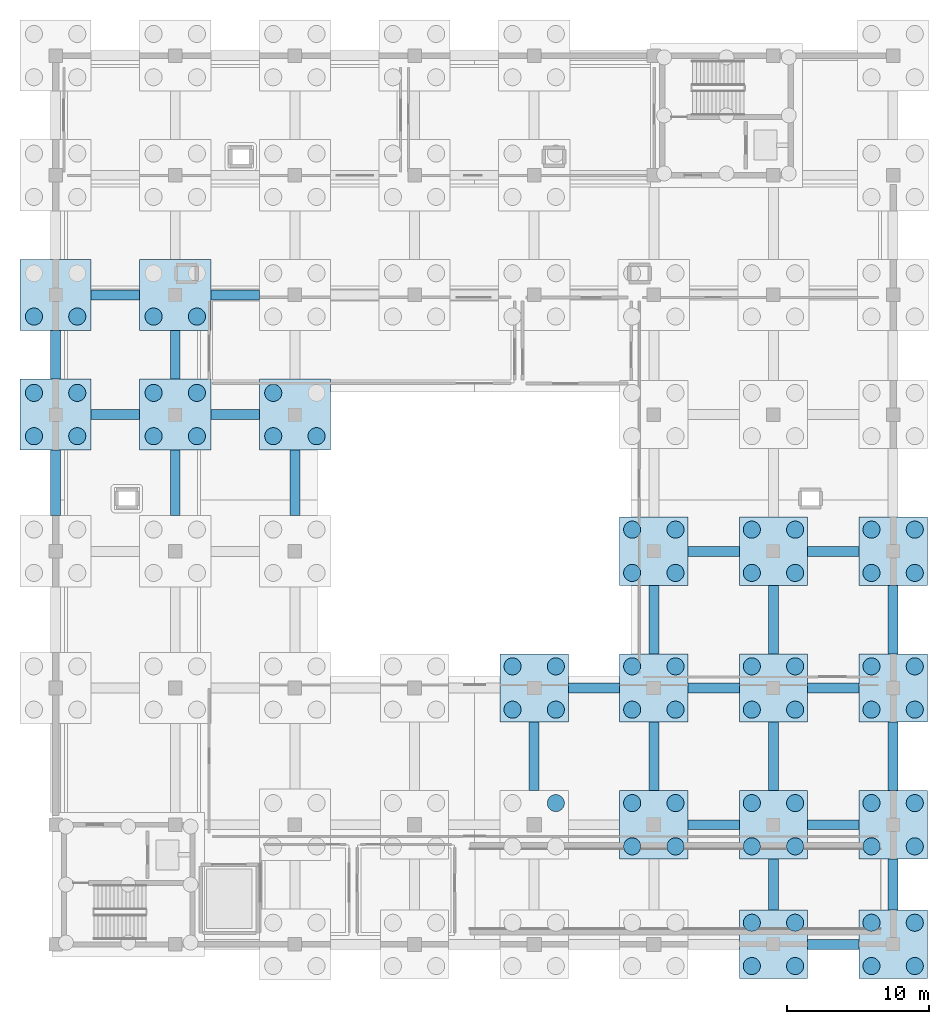
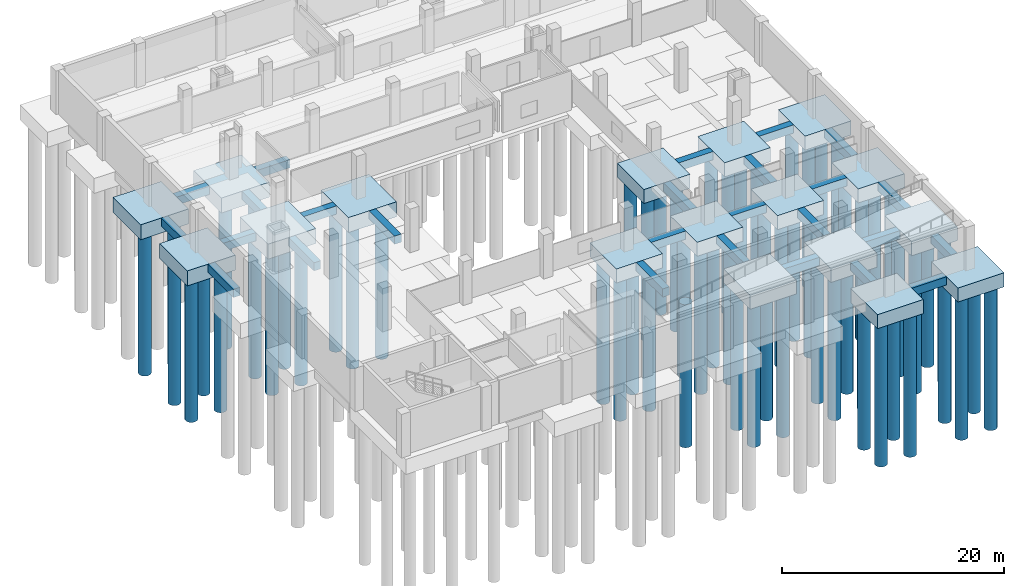
# One storey, part 2 of 12: 64 piles, 43 footings.
"""IFC4 building model written with IfcOpenShell, lengths in metres."""

from ifc_helpers import new_model, si_unit, direction, frame, origin, origin_2d, place, context, subcontext, project, spatial, polyline, circle, outline, extrude, material, layer, layer_set, material_profile, profile_set, type_object, element, save


model = new_model("IFC4")

# Units and contexts
model_context = context("Model", 3, precision=1e-05, world=origin(), true_north=direction((0.0, 1.0)))
body_context = subcontext(model_context, "Body", "Model", "MODEL_VIEW")
ifc_project = project(units=[si_unit("LENGTHUNIT", "METRE"), si_unit("AREAUNIT", "SQUARE_METRE"), si_unit("VOLUMEUNIT", "CUBIC_METRE"), si_unit("PLANEANGLEUNIT", "RADIAN"), si_unit("MASSUNIT", "GRAM", prefix="KILO")], contexts=[model_context])

# Site, building, storey
site_placement = place(None, origin())
site = spatial("IfcSite", under=ifc_project, at=site_placement, CompositionType="ELEMENT")
building_placement = place(site_placement, origin())
building = spatial("IfcBuilding", under=site, at=building_placement, Name="Zulmaris Art Gallery", CompositionType="ELEMENT")
storey_placement = place(building_placement, frame((0.0, 0.0, -4.800048828125)))
storey = spatial("IfcBuildingStorey", under=building, at=storey_placement, Name="B1", CompositionType="ELEMENT", Elevation=-4.800048828125)

# Footings
ifc_material = material(Name="Concrete C40/50", Category="concrete")
ifc_layer_1 = layer(ifc_material, 0.89990234375)
ifc_layer_set_1 = layer_set([ifc_layer_1], Name="Concrete C40/50")
footing_type_1 = type_object("IfcFootingType", Name="FTG-GB02", PredefinedType="FOOTING_BEAM", material=ifc_layer_set_1)
footing_1_placement = place(storey_placement, frame((0.0, 0.0, -0.89990234375)))
element("IfcFooting", 1, at=footing_1_placement, inside=storey, type_object=footing_type_1, Name="B1 ground tie beam X", PredefinedType="FOOTING_BEAM", context=body_context, shape_type="SweptSolid", body=[
    extrude(outline(polyline([(194.39990234375, 12.85009765625), (198.0, 12.85009765625), (198.0, 13.550048828125), (194.39990234375, 13.550048828125), (194.39990234375, 12.85009765625)])), origin(), (0.0, 0.0, 1.0), 0.89990234375),
])
footing_2_placement = place(storey_placement, frame((0.0, 0.0, -0.89990234375)))
element("IfcFooting", 2, at=footing_2_placement, inside=storey, type_object=footing_type_1, Name="B1 ground tie beam X", PredefinedType="FOOTING_BEAM", context=body_context, shape_type="SweptSolid", body=[
    extrude(outline(polyline([(186.0, 21.25), (189.60009765625, 21.25), (189.60009765625, 21.949951171875), (186.0, 21.949951171875), (186.0, 21.25)])), origin(), (0.0, 0.0, 1.0), 0.89990234375),
])
footing_3_placement = place(storey_placement, frame((0.0, 0.0, -0.89990234375)))
element("IfcFooting", 3, at=footing_3_placement, inside=storey, type_object=footing_type_1, Name="B1 ground tie beam X", PredefinedType="FOOTING_BEAM", context=body_context, shape_type="SweptSolid", body=[
    extrude(outline(polyline([(194.39990234375, 21.25), (198.0, 21.25), (198.0, 21.949951171875), (194.39990234375, 21.949951171875), (194.39990234375, 21.25)])), origin(), (0.0, 0.0, 1.0), 0.89990234375),
])
footing_4_placement = place(storey_placement, frame((0.0, 0.0, -0.89990234375)))
element("IfcFooting", 4, at=footing_4_placement, inside=storey, type_object=footing_type_1, Name="B1 ground tie beam X", PredefinedType="FOOTING_BEAM", context=body_context, shape_type="SweptSolid", body=[
    extrude(outline(polyline([(177.60009765625, 30.85009765625), (181.199951171875, 30.85009765625), (181.199951171875, 31.550048828125), (177.60009765625, 31.550048828125), (177.60009765625, 30.85009765625)])), origin(), (0.0, 0.0, 1.0), 0.89990234375),
])
footing_5_placement = place(storey_placement, frame((0.0, 0.0, -0.89990234375)))
element("IfcFooting", 5, at=footing_5_placement, inside=storey, type_object=footing_type_1, Name="B1 ground tie beam X", PredefinedType="FOOTING_BEAM", context=body_context, shape_type="SweptSolid", body=[
    extrude(outline(polyline([(186.0, 30.85009765625), (189.60009765625, 30.85009765625), (189.60009765625, 31.550048828125), (186.0, 31.550048828125), (186.0, 30.85009765625)])), origin(), (0.0, 0.0, 1.0), 0.89990234375),
])
footing_6_placement = place(storey_placement, frame((0.0, 0.0, -0.89990234375)))
element("IfcFooting", 6, at=footing_6_placement, inside=storey, type_object=footing_type_1, Name="B1 ground tie beam X", PredefinedType="FOOTING_BEAM", context=body_context, shape_type="SweptSolid", body=[
    extrude(outline(polyline([(194.39990234375, 30.85009765625), (198.0, 30.85009765625), (198.0, 31.550048828125), (194.39990234375, 31.550048828125), (194.39990234375, 30.85009765625)])), origin(), (0.0, 0.0, 1.0), 0.89990234375),
])
footing_7_placement = place(storey_placement, frame((0.0, 0.0, -0.89990234375)))
element("IfcFooting", 7, at=footing_7_placement, inside=storey, type_object=footing_type_1, Name="B1 ground tie beam X", PredefinedType="FOOTING_BEAM", context=body_context, shape_type="SweptSolid", body=[
    extrude(outline(polyline([(186.0, 40.449951171875), (189.60009765625, 40.449951171875), (189.60009765625, 41.14990234375), (186.0, 41.14990234375), (186.0, 40.449951171875)])), origin(), (0.0, 0.0, 1.0), 0.89990234375),
])
footing_8_placement = place(storey_placement, frame((0.0, 0.0, -0.89990234375)))
element("IfcFooting", 8, at=footing_8_placement, inside=storey, type_object=footing_type_1, Name="B1 ground tie beam X", PredefinedType="FOOTING_BEAM", context=body_context, shape_type="SweptSolid", body=[
    extrude(outline(polyline([(194.39990234375, 40.449951171875), (198.0, 40.449951171875), (198.0, 41.14990234375), (194.39990234375, 41.14990234375), (194.39990234375, 40.449951171875)])), origin(), (0.0, 0.0, 1.0), 0.89990234375),
])
footing_9_placement = place(storey_placement, frame((0.0, 0.0, -0.89990234375)))
element("IfcFooting", 9, at=footing_9_placement, inside=storey, type_object=footing_type_1, Name="B1 ground tie beam X", PredefinedType="FOOTING_BEAM", context=body_context, shape_type="SweptSolid", body=[
    extrude(outline(polyline([(144.10009765625, 50.050048828125), (147.5, 50.050048828125), (147.5, 50.75), (144.10009765625, 50.75), (144.10009765625, 50.050048828125)])), origin(), (0.0, 0.0, 1.0), 0.89990234375),
])
footing_10_placement = place(storey_placement, frame((0.0, 0.0, -0.89990234375)))
element("IfcFooting", 10, at=footing_10_placement, inside=storey, type_object=footing_type_1, Name="B1 ground tie beam X", PredefinedType="FOOTING_BEAM", context=body_context, shape_type="SweptSolid", body=[
    extrude(outline(polyline([(152.5, 50.050048828125), (155.89990234375, 50.050048828125), (155.89990234375, 50.75), (152.5, 50.75), (152.5, 50.050048828125)])), origin(), (0.0, 0.0, 1.0), 0.89990234375),
])
footing_11_placement = place(storey_placement, frame((0.0, 0.0, -0.89990234375)))
element("IfcFooting", 11, at=footing_11_placement, inside=storey, type_object=footing_type_1, Name="B1 ground tie beam X", PredefinedType="FOOTING_BEAM", context=body_context, shape_type="SweptSolid", body=[
    extrude(outline(polyline([(144.10009765625, 58.449951171875), (147.5, 58.449951171875), (147.5, 59.14990234375), (144.10009765625, 59.14990234375), (144.10009765625, 58.449951171875)])), origin(), (0.0, 0.0, 1.0), 0.89990234375),
])
footing_12_placement = place(storey_placement, frame((0.0, 0.0, -0.89990234375)))
element("IfcFooting", 12, at=footing_12_placement, inside=storey, type_object=footing_type_1, Name="B1 ground tie beam X", PredefinedType="FOOTING_BEAM", context=body_context, shape_type="SweptSolid", body=[
    extrude(outline(polyline([(152.5, 58.449951171875), (155.89990234375, 58.449951171875), (155.89990234375, 59.14990234375), (152.5, 59.14990234375), (152.5, 58.449951171875)])), origin(), (0.0, 0.0, 1.0), 0.89990234375),
])
footing_13_placement = place(storey_placement, frame((0.0, 0.0, -0.89990234375)))
element("IfcFooting", 13, at=footing_13_placement, inside=storey, type_object=footing_type_1, Name="B1 ground tie beam Y", PredefinedType="FOOTING_BEAM", context=body_context, shape_type="SweptSolid", body=[
    extrude(outline(polyline([(141.25, 43.300048828125), (141.949951171875, 43.300048828125), (141.949951171875, 47.89990234375), (141.25, 47.89990234375), (141.25, 43.300048828125)])), origin(), (0.0, 0.0, 1.0), 0.89990234375),
])
footing_14_placement = place(storey_placement, frame((0.0, 0.0, -0.89990234375)))
element("IfcFooting", 14, at=footing_14_placement, inside=storey, type_object=footing_type_1, Name="B1 ground tie beam Y", PredefinedType="FOOTING_BEAM", context=body_context, shape_type="SweptSolid", body=[
    extrude(outline(polyline([(141.25, 52.89990234375), (141.949951171875, 52.89990234375), (141.949951171875, 56.300048828125), (141.25, 56.300048828125), (141.25, 52.89990234375)])), origin(), (0.0, 0.0, 1.0), 0.89990234375),
])
footing_15_placement = place(storey_placement, frame((0.0, 0.0, -0.89990234375)))
element("IfcFooting", 15, at=footing_15_placement, inside=storey, type_object=footing_type_1, Name="B1 ground tie beam Y", PredefinedType="FOOTING_BEAM", context=body_context, shape_type="SweptSolid", body=[
    extrude(outline(polyline([(149.64990234375, 43.300048828125), (150.35009765625, 43.300048828125), (150.35009765625, 47.89990234375), (149.64990234375, 47.89990234375), (149.64990234375, 43.300048828125)])), origin(), (0.0, 0.0, 1.0), 0.89990234375),
])
footing_16_placement = place(storey_placement, frame((0.0, 0.0, -0.89990234375)))
element("IfcFooting", 16, at=footing_16_placement, inside=storey, type_object=footing_type_1, Name="B1 ground tie beam Y", PredefinedType="FOOTING_BEAM", context=body_context, shape_type="SweptSolid", body=[
    extrude(outline(polyline([(149.64990234375, 52.89990234375), (150.35009765625, 52.89990234375), (150.35009765625, 56.300048828125), (149.64990234375, 56.300048828125), (149.64990234375, 52.89990234375)])), origin(), (0.0, 0.0, 1.0), 0.89990234375),
])
footing_17_placement = place(storey_placement, frame((0.0, 0.0, -0.89990234375)))
element("IfcFooting", 17, at=footing_17_placement, inside=storey, type_object=footing_type_1, Name="B1 ground tie beam Y", PredefinedType="FOOTING_BEAM", context=body_context, shape_type="SweptSolid", body=[
    extrude(outline(polyline([(158.050048828125, 43.300048828125), (158.75, 43.300048828125), (158.75, 47.89990234375), (158.050048828125, 47.89990234375), (158.050048828125, 43.300048828125)])), origin(), (0.0, 0.0, 1.0), 0.89990234375),
])
footing_18_placement = place(storey_placement, frame((0.0, 0.0, -0.89990234375)))
element("IfcFooting", 18, at=footing_18_placement, inside=storey, type_object=footing_type_1, Name="B1 ground tie beam Y", PredefinedType="FOOTING_BEAM", context=body_context, shape_type="SweptSolid", body=[
    extrude(outline(polyline([(174.85009765625, 24.0), (175.550048828125, 24.0), (175.550048828125, 28.800048828125), (174.85009765625, 28.800048828125), (174.85009765625, 24.0)])), origin(), (0.0, 0.0, 1.0), 0.89990234375),
])
footing_19_placement = place(storey_placement, frame((0.0, 0.0, -0.89990234375)))
element("IfcFooting", 19, at=footing_19_placement, inside=storey, type_object=footing_type_1, Name="B1 ground tie beam Y", PredefinedType="FOOTING_BEAM", context=body_context, shape_type="SweptSolid", body=[
    extrude(outline(polyline([(183.25, 24.0), (183.949951171875, 24.0), (183.949951171875, 28.800048828125), (183.25, 28.800048828125), (183.25, 24.0)])), origin(), (0.0, 0.0, 1.0), 0.89990234375),
])
footing_20_placement = place(storey_placement, frame((0.0, 0.0, -0.89990234375)))
element("IfcFooting", 20, at=footing_20_placement, inside=storey, type_object=footing_type_1, Name="B1 ground tie beam Y", PredefinedType="FOOTING_BEAM", context=body_context, shape_type="SweptSolid", body=[
    extrude(outline(polyline([(183.25, 33.60009765625), (183.949951171875, 33.60009765625), (183.949951171875, 38.39990234375), (183.25, 38.39990234375), (183.25, 33.60009765625)])), origin(), (0.0, 0.0, 1.0), 0.89990234375),
])
footing_21_placement = place(storey_placement, frame((0.0, 0.0, -0.89990234375)))
element("IfcFooting", 21, at=footing_21_placement, inside=storey, type_object=footing_type_1, Name="B1 ground tie beam Y", PredefinedType="FOOTING_BEAM", context=body_context, shape_type="SweptSolid", body=[
    extrude(outline(polyline([(191.64990234375, 15.60009765625), (192.35009765625, 15.60009765625), (192.35009765625, 19.199951171875), (191.64990234375, 19.199951171875), (191.64990234375, 15.60009765625)])), origin(), (0.0, 0.0, 1.0), 0.89990234375),
])
footing_22_placement = place(storey_placement, frame((0.0, 0.0, -0.89990234375)))
element("IfcFooting", 22, at=footing_22_placement, inside=storey, type_object=footing_type_1, Name="B1 ground tie beam Y", PredefinedType="FOOTING_BEAM", context=body_context, shape_type="SweptSolid", body=[
    extrude(outline(polyline([(191.64990234375, 24.0), (192.35009765625, 24.0), (192.35009765625, 28.800048828125), (191.64990234375, 28.800048828125), (191.64990234375, 24.0)])), origin(), (0.0, 0.0, 1.0), 0.89990234375),
])
footing_23_placement = place(storey_placement, frame((0.0, 0.0, -0.89990234375)))
element("IfcFooting", 23, at=footing_23_placement, inside=storey, type_object=footing_type_1, Name="B1 ground tie beam Y", PredefinedType="FOOTING_BEAM", context=body_context, shape_type="SweptSolid", body=[
    extrude(outline(polyline([(191.64990234375, 33.60009765625), (192.35009765625, 33.60009765625), (192.35009765625, 38.39990234375), (191.64990234375, 38.39990234375), (191.64990234375, 33.60009765625)])), origin(), (0.0, 0.0, 1.0), 0.89990234375),
])
footing_24_placement = place(storey_placement, frame((0.0, 0.0, -0.89990234375)))
element("IfcFooting", 24, at=footing_24_placement, inside=storey, type_object=footing_type_1, Name="B1 ground tie beam Y", PredefinedType="FOOTING_BEAM", context=body_context, shape_type="SweptSolid", body=[
    extrude(outline(polyline([(200.050048828125, 15.60009765625), (200.75, 15.60009765625), (200.75, 19.199951171875), (200.050048828125, 19.199951171875), (200.050048828125, 15.60009765625)])), origin(), (0.0, 0.0, 1.0), 0.89990234375),
])
footing_25_placement = place(storey_placement, frame((0.0, 0.0, -0.89990234375)))
element("IfcFooting", 25, at=footing_25_placement, inside=storey, type_object=footing_type_1, Name="B1 ground tie beam Y", PredefinedType="FOOTING_BEAM", context=body_context, shape_type="SweptSolid", body=[
    extrude(outline(polyline([(200.050048828125, 24.0), (200.75, 24.0), (200.75, 28.800048828125), (200.050048828125, 28.800048828125), (200.050048828125, 24.0)])), origin(), (0.0, 0.0, 1.0), 0.89990234375),
])
footing_26_placement = place(storey_placement, frame((0.0, 0.0, -0.89990234375)))
element("IfcFooting", 26, at=footing_26_placement, inside=storey, type_object=footing_type_1, Name="B1 ground tie beam Y", PredefinedType="FOOTING_BEAM", context=body_context, shape_type="SweptSolid", body=[
    extrude(outline(polyline([(200.050048828125, 33.60009765625), (200.75, 33.60009765625), (200.75, 38.39990234375), (200.050048828125, 38.39990234375), (200.050048828125, 33.60009765625)])), origin(), (0.0, 0.0, 1.0), 0.89990234375),
])
ifc_layer_2 = layer(ifc_material, 1.550048828125)
ifc_layer_set_2 = layer_set([ifc_layer_2], Name="Concrete C40/50")
footing_type_2 = type_object("IfcFootingType", Name="FTG-PC03", PredefinedType="PILE_CAP", material=ifc_layer_set_2)
footing_27_placement = place(storey_placement, frame((0.0, 0.0, -1.550048828125)))
element("IfcFooting", 27, at=footing_27_placement, inside=storey, type_object=footing_type_2, Name="B1 pile cap PC03 at (175.2, 31.2)", PredefinedType="PILE_CAP", context=body_context, shape_type="SweptSolid", body=[
    extrude(outline(polyline([(172.800048828125, 28.800048828125), (177.60009765625, 28.800048828125), (177.60009765625, 33.60009765625), (172.800048828125, 33.60009765625), (172.800048828125, 28.800048828125)])), origin(), (0.0, 0.0, 1.0), 1.550048828125),
])
footing_28_placement = place(storey_placement, frame((0.0, 0.0, -1.550048828125)))
element("IfcFooting", 28, at=footing_28_placement, inside=storey, type_object=footing_type_2, Name="B1 pile cap PC03 at (183.6, 21.6)", PredefinedType="PILE_CAP", context=body_context, shape_type="SweptSolid", body=[
    extrude(outline(polyline([(181.199951171875, 19.199951171875), (186.0, 19.199951171875), (186.0, 24.0), (181.199951171875, 24.0), (181.199951171875, 19.199951171875)])), origin(), (0.0, 0.0, 1.0), 1.550048828125),
])
footing_29_placement = place(storey_placement, frame((0.0, 0.0, -1.550048828125)))
element("IfcFooting", 29, at=footing_29_placement, inside=storey, type_object=footing_type_2, Name="B1 pile cap PC03 at (183.6, 31.2)", PredefinedType="PILE_CAP", context=body_context, shape_type="SweptSolid", body=[
    extrude(outline(polyline([(181.199951171875, 28.800048828125), (186.0, 28.800048828125), (186.0, 33.60009765625), (181.199951171875, 33.60009765625), (181.199951171875, 28.800048828125)])), origin(), (0.0, 0.0, 1.0), 1.550048828125),
])
footing_30_placement = place(storey_placement, frame((0.0, 0.0, -1.550048828125)))
element("IfcFooting", 30, at=footing_30_placement, inside=storey, type_object=footing_type_2, Name="B1 pile cap PC03 at (183.6, 40.8)", PredefinedType="PILE_CAP", context=body_context, shape_type="SweptSolid", body=[
    extrude(outline(polyline([(181.199951171875, 38.39990234375), (186.0, 38.39990234375), (186.0, 43.199951171875), (181.199951171875, 43.199951171875), (181.199951171875, 38.39990234375)])), origin(), (0.0, 0.0, 1.0), 1.550048828125),
])
footing_31_placement = place(storey_placement, frame((0.0, 0.0, -1.550048828125)))
element("IfcFooting", 31, at=footing_31_placement, inside=storey, type_object=footing_type_2, Name="B1 pile cap PC03 at (192.0, 13.2)", PredefinedType="PILE_CAP", context=body_context, shape_type="SweptSolid", body=[
    extrude(outline(polyline([(189.60009765625, 10.800048828125), (194.39990234375, 10.800048828125), (194.39990234375, 15.60009765625), (189.60009765625, 15.60009765625), (189.60009765625, 10.800048828125)])), origin(), (0.0, 0.0, 1.0), 1.550048828125),
])
footing_32_placement = place(storey_placement, frame((0.0, 0.0, -1.550048828125)))
element("IfcFooting", 32, at=footing_32_placement, inside=storey, type_object=footing_type_2, Name="B1 pile cap PC03 at (192.0, 21.6)", PredefinedType="PILE_CAP", context=body_context, shape_type="SweptSolid", body=[
    extrude(outline(polyline([(189.60009765625, 19.199951171875), (194.39990234375, 19.199951171875), (194.39990234375, 24.0), (189.60009765625, 24.0), (189.60009765625, 19.199951171875)])), origin(), (0.0, 0.0, 1.0), 1.550048828125),
])
footing_33_placement = place(storey_placement, frame((0.0, 0.0, -1.550048828125)))
element("IfcFooting", 33, at=footing_33_placement, inside=storey, type_object=footing_type_2, Name="B1 pile cap PC03 at (192.0, 31.2)", PredefinedType="PILE_CAP", context=body_context, shape_type="SweptSolid", body=[
    extrude(outline(polyline([(189.60009765625, 28.800048828125), (194.39990234375, 28.800048828125), (194.39990234375, 33.60009765625), (189.60009765625, 33.60009765625), (189.60009765625, 28.800048828125)])), origin(), (0.0, 0.0, 1.0), 1.550048828125),
])
footing_34_placement = place(storey_placement, frame((0.0, 0.0, -1.550048828125)))
element("IfcFooting", 34, at=footing_34_placement, inside=storey, type_object=footing_type_2, Name="B1 pile cap PC03 at (192.0, 40.8)", PredefinedType="PILE_CAP", context=body_context, shape_type="SweptSolid", body=[
    extrude(outline(polyline([(189.60009765625, 38.39990234375), (194.39990234375, 38.39990234375), (194.39990234375, 43.199951171875), (189.60009765625, 43.199951171875), (189.60009765625, 38.39990234375)])), origin(), (0.0, 0.0, 1.0), 1.550048828125),
])
footing_35_placement = place(storey_placement, frame((0.0, 0.0, -1.550048828125)))
element("IfcFooting", 35, at=footing_35_placement, inside=storey, type_object=footing_type_2, Name="B1 pile cap PC03 at (200.4, 13.2)", PredefinedType="PILE_CAP", context=body_context, shape_type="SweptSolid", body=[
    extrude(outline(polyline([(198.0, 10.800048828125), (202.800048828125, 10.800048828125), (202.800048828125, 15.60009765625), (198.0, 15.60009765625), (198.0, 10.800048828125)])), origin(), (0.0, 0.0, 1.0), 1.550048828125),
])
footing_36_placement = place(storey_placement, frame((0.0, 0.0, -1.550048828125)))
element("IfcFooting", 36, at=footing_36_placement, inside=storey, type_object=footing_type_2, Name="B1 pile cap PC03 at (200.4, 21.6)", PredefinedType="PILE_CAP", context=body_context, shape_type="SweptSolid", body=[
    extrude(outline(polyline([(198.0, 19.199951171875), (202.800048828125, 19.199951171875), (202.800048828125, 24.0), (198.0, 24.0), (198.0, 19.199951171875)])), origin(), (0.0, 0.0, 1.0), 1.550048828125),
])
footing_37_placement = place(storey_placement, frame((0.0, 0.0, -1.550048828125)))
element("IfcFooting", 37, at=footing_37_placement, inside=storey, type_object=footing_type_2, Name="B1 pile cap PC03 at (200.4, 31.2)", PredefinedType="PILE_CAP", context=body_context, shape_type="SweptSolid", body=[
    extrude(outline(polyline([(198.0, 28.800048828125), (202.800048828125, 28.800048828125), (202.800048828125, 33.60009765625), (198.0, 33.60009765625), (198.0, 28.800048828125)])), origin(), (0.0, 0.0, 1.0), 1.550048828125),
])
footing_38_placement = place(storey_placement, frame((0.0, 0.0, -1.550048828125)))
element("IfcFooting", 38, at=footing_38_placement, inside=storey, type_object=footing_type_2, Name="B1 pile cap PC03 at (200.4, 40.8)", PredefinedType="PILE_CAP", context=body_context, shape_type="SweptSolid", body=[
    extrude(outline(polyline([(198.0, 38.39990234375), (202.800048828125, 38.39990234375), (202.800048828125, 43.199951171875), (198.0, 43.199951171875), (198.0, 38.39990234375)])), origin(), (0.0, 0.0, 1.0), 1.550048828125),
])
ifc_layer_3 = layer(ifc_material, 1.64990234375)
ifc_layer_set_3 = layer_set([ifc_layer_3], Name="Concrete C40/50")
footing_type_3 = type_object("IfcFootingType", Name="FTG-PC04", PredefinedType="PILE_CAP", material=ifc_layer_set_3)
footing_39_placement = place(storey_placement, frame((0.0, 0.0, -1.64990234375)))
element("IfcFooting", 39, at=footing_39_placement, inside=storey, type_object=footing_type_3, Name="B1 pile cap PC04 at (141.6, 50.4)", PredefinedType="PILE_CAP", context=body_context, shape_type="SweptSolid", body=[
    extrude(outline(polyline([(139.10009765625, 47.89990234375), (144.10009765625, 47.89990234375), (144.10009765625, 52.89990234375), (139.10009765625, 52.89990234375), (139.10009765625, 47.89990234375)])), origin(), (0.0, 0.0, 1.0), 1.64990234375),
])
footing_40_placement = place(storey_placement, frame((0.0, 0.0, -1.64990234375)))
element("IfcFooting", 40, at=footing_40_placement, inside=storey, type_object=footing_type_3, Name="B1 pile cap PC04 at (141.6, 58.8)", PredefinedType="PILE_CAP", context=body_context, shape_type="SweptSolid", body=[
    extrude(outline(polyline([(139.10009765625, 56.300048828125), (144.10009765625, 56.300048828125), (144.10009765625, 61.300048828125), (139.10009765625, 61.300048828125), (139.10009765625, 56.300048828125)])), origin(), (0.0, 0.0, 1.0), 1.64990234375),
])
footing_41_placement = place(storey_placement, frame((0.0, 0.0, -1.64990234375)))
element("IfcFooting", 41, at=footing_41_placement, inside=storey, type_object=footing_type_3, Name="B1 pile cap PC04 at (150.0, 50.4)", PredefinedType="PILE_CAP", context=body_context, shape_type="SweptSolid", body=[
    extrude(outline(polyline([(147.5, 47.89990234375), (152.5, 47.89990234375), (152.5, 52.89990234375), (147.5, 52.89990234375), (147.5, 47.89990234375)])), origin(), (0.0, 0.0, 1.0), 1.64990234375),
])
footing_42_placement = place(storey_placement, frame((0.0, 0.0, -1.64990234375)))
element("IfcFooting", 42, at=footing_42_placement, inside=storey, type_object=footing_type_3, Name="B1 pile cap PC04 at (150.0, 58.8)", PredefinedType="PILE_CAP", context=body_context, shape_type="SweptSolid", body=[
    extrude(outline(polyline([(147.5, 56.300048828125), (152.5, 56.300048828125), (152.5, 61.300048828125), (147.5, 61.300048828125), (147.5, 56.300048828125)])), origin(), (0.0, 0.0, 1.0), 1.64990234375),
])
footing_43_placement = place(storey_placement, frame((0.0, 0.0, -1.64990234375)))
element("IfcFooting", 43, at=footing_43_placement, inside=storey, type_object=footing_type_3, Name="B1 pile cap PC04 at (158.4, 50.4)", PredefinedType="PILE_CAP", context=body_context, shape_type="SweptSolid", body=[
    extrude(outline(polyline([(155.89990234375, 47.89990234375), (160.89990234375, 47.89990234375), (160.89990234375, 52.89990234375), (155.89990234375, 52.89990234375), (155.89990234375, 47.89990234375)])), origin(), (0.0, 0.0, 1.0), 1.64990234375),
])

# Piles
ifc_material_profile = material_profile(ifc_material, circle(Radius=0.60009765625, at=origin_2d()), Name="PILE DIA 1200")
ifc_profile_set = profile_set([ifc_material_profile], Name="Concrete C40/50")
pile_type = type_object("IfcPileType", Name="PILE-1200", PredefinedType="BORED", material=ifc_profile_set)
for number, where, z_axis, x_axis, name in (
    (44, (140.080078125, 48.8798828125, -1.550048828125), (0.0, 0.0, -1.0), (1.0, 0.0, 0.0), "B1 bored pile 1 under FTG-CAP-B1-1416-504"),
    (45, (143.1201171875, 48.8798828125, -1.550048828125), (0.0, 0.0, -1.0), (1.0, 0.0, 0.0), "B1 bored pile 2 under FTG-CAP-B1-1416-504"),
    (46, (140.080078125, 51.919921875, -1.550048828125), (0.0, 0.0, -1.0), (1.0, 0.0, 0.0), "B1 bored pile 3 under FTG-CAP-B1-1416-504"),
    (47, (143.1201171875, 51.919921875, -1.550048828125), (0.0, 0.0, -1.0), (1.0, 0.0, 0.0), "B1 bored pile 4 under FTG-CAP-B1-1416-504"),
    (48, (140.080078125, 57.280029296875, -1.550048828125), (0.0, 0.0, -1.0), (1.0, 0.0, 0.0), "B1 bored pile 1 under FTG-CAP-B1-1416-588"),
    (49, (143.1201171875, 57.280029296875, -1.550048828125), (0.0, 0.0, -1.0), (1.0, 0.0, 0.0), "B1 bored pile 2 under FTG-CAP-B1-1416-588"),
    (50, (148.47998046875, 48.8798828125, -1.550048828125), (0.0, 0.0, -1.0), (1.0, 0.0, 0.0), "B1 bored pile 1 under FTG-CAP-B1-1500-504"),
    (51, (151.52001953125, 48.8798828125, -1.550048828125), (0.0, 0.0, -1.0), (1.0, 0.0, 0.0), "B1 bored pile 2 under FTG-CAP-B1-1500-504"),
    (52, (148.47998046875, 51.919921875, -1.550048828125), (0.0, 0.0, -1.0), (1.0, 0.0, 0.0), "B1 bored pile 3 under FTG-CAP-B1-1500-504"),
    (53, (151.52001953125, 51.919921875, -1.550048828125), (0.0, 0.0, -1.0), (1.0, 0.0, 0.0), "B1 bored pile 4 under FTG-CAP-B1-1500-504"),
    (54, (148.47998046875, 57.280029296875, -1.550048828125), (0.0, 0.0, -1.0), (1.0, 0.0, 0.0), "B1 bored pile 1 under FTG-CAP-B1-1500-588"),
    (55, (151.52001953125, 57.280029296875, -1.550048828125), (0.0, 0.0, -1.0), (1.0, 0.0, 0.0), "B1 bored pile 2 under FTG-CAP-B1-1500-588"),
    (56, (156.8798828125, 48.8798828125, -1.550048828125), (0.0, 0.0, -1.0), (1.0, 0.0, 0.0), "B1 bored pile 1 under FTG-CAP-B1-1584-504"),
    (57, (159.919921875, 48.8798828125, -1.550048828125), (0.0, 0.0, -1.0), (1.0, 0.0, 0.0), "B1 bored pile 2 under FTG-CAP-B1-1584-504"),
    (58, (156.8798828125, 51.919921875, -1.550048828125), (0.0, 0.0, -1.0), (1.0, 0.0, 0.0), "B1 bored pile 3 under FTG-CAP-B1-1584-504"),
):
    element("IfcPile", number, at=place(storey_placement, frame(where, z_axis=z_axis, x_axis=x_axis)), inside=storey, type_object=pile_type, Name=name, PredefinedType="BORED", context=body_context, shape_type="SweptSolid", body=[
        extrude(circle(Radius=0.60009765625, at=origin_2d()), origin(), (0.0, 0.0, 1.0), 15.64990234375),
    ])
for number, where, z_axis, x_axis, name in (
    (59, (176.719970703125, 23.1201171875, -1.449951171875), (0.0, 0.0, -1.0), (1.0, 0.0, 0.0), "B1 bored pile 4 under FTG-CAP-B1-1752-216"),
    (60, (173.679931640625, 29.679931640625, -1.449951171875), (0.0, 0.0, -1.0), (1.0, 0.0, 0.0), "B1 bored pile 1 under FTG-CAP-B1-1752-312"),
    (61, (176.719970703125, 29.679931640625, -1.449951171875), (0.0, 0.0, -1.0), (1.0, 0.0, 0.0), "B1 bored pile 2 under FTG-CAP-B1-1752-312"),
    (62, (173.679931640625, 32.719970703125, -1.449951171875), (0.0, 0.0, -1.0), (1.0, 0.0, 0.0), "B1 bored pile 3 under FTG-CAP-B1-1752-312"),
    (63, (176.719970703125, 32.719970703125, -1.449951171875), (0.0, 0.0, -1.0), (1.0, 0.0, 0.0), "B1 bored pile 4 under FTG-CAP-B1-1752-312"),
    (64, (182.080078125, 20.080078125, -1.449951171875), (0.0, 0.0, -1.0), (1.0, 0.0, 0.0), "B1 bored pile 1 under FTG-CAP-B1-1836-216"),
    (65, (185.1201171875, 20.080078125, -1.449951171875), (0.0, 0.0, -1.0), (1.0, 0.0, 0.0), "B1 bored pile 2 under FTG-CAP-B1-1836-216"),
    (66, (182.080078125, 23.1201171875, -1.449951171875), (0.0, 0.0, -1.0), (1.0, 0.0, 0.0), "B1 bored pile 3 under FTG-CAP-B1-1836-216"),
    (67, (185.1201171875, 23.1201171875, -1.449951171875), (0.0, 0.0, -1.0), (1.0, 0.0, 0.0), "B1 bored pile 4 under FTG-CAP-B1-1836-216"),
    (68, (182.080078125, 29.679931640625, -1.449951171875), (0.0, 0.0, -1.0), (1.0, 0.0, 0.0), "B1 bored pile 1 under FTG-CAP-B1-1836-312"),
    (69, (185.1201171875, 29.679931640625, -1.449951171875), (0.0, 0.0, -1.0), (1.0, 0.0, 0.0), "B1 bored pile 2 under FTG-CAP-B1-1836-312"),
    (70, (182.080078125, 32.719970703125, -1.449951171875), (0.0, 0.0, -1.0), (1.0, 0.0, 0.0), "B1 bored pile 3 under FTG-CAP-B1-1836-312"),
    (71, (185.1201171875, 32.719970703125, -1.449951171875), (0.0, 0.0, -1.0), (1.0, 0.0, 0.0), "B1 bored pile 4 under FTG-CAP-B1-1836-312"),
    (72, (182.080078125, 39.280029296875, -1.449951171875), (0.0, 0.0, -1.0), (1.0, 0.0, 0.0), "B1 bored pile 1 under FTG-CAP-B1-1836-408"),
    (73, (185.1201171875, 39.280029296875, -1.449951171875), (0.0, 0.0, -1.0), (1.0, 0.0, 0.0), "B1 bored pile 2 under FTG-CAP-B1-1836-408"),
    (74, (182.080078125, 42.320068359375, -1.449951171875), (0.0, 0.0, -1.0), (1.0, 0.0, 0.0), "B1 bored pile 3 under FTG-CAP-B1-1836-408"),
    (75, (185.1201171875, 42.320068359375, -1.449951171875), (0.0, 0.0, -1.0), (1.0, 0.0, 0.0), "B1 bored pile 4 under FTG-CAP-B1-1836-408"),
    (76, (190.47998046875, 11.679931640625, -1.449951171875), (0.0, 0.0, -1.0), (1.0, 0.0, 0.0), "B1 bored pile 1 under FTG-CAP-B1-1920-132"),
    (77, (193.52001953125, 11.679931640625, -1.449951171875), (0.0, 0.0, -1.0), (1.0, 0.0, 0.0), "B1 bored pile 2 under FTG-CAP-B1-1920-132"),
    (78, (190.47998046875, 14.719970703125, -1.449951171875), (0.0, 0.0, -1.0), (1.0, 0.0, 0.0), "B1 bored pile 3 under FTG-CAP-B1-1920-132"),
    (79, (193.52001953125, 14.719970703125, -1.449951171875), (0.0, 0.0, -1.0), (1.0, 0.0, 0.0), "B1 bored pile 4 under FTG-CAP-B1-1920-132"),
    (80, (190.47998046875, 20.080078125, -1.449951171875), (0.0, 0.0, -1.0), (1.0, 0.0, 0.0), "B1 bored pile 1 under FTG-CAP-B1-1920-216"),
    (81, (193.52001953125, 20.080078125, -1.449951171875), (0.0, 0.0, -1.0), (1.0, 0.0, 0.0), "B1 bored pile 2 under FTG-CAP-B1-1920-216"),
    (82, (190.47998046875, 23.1201171875, -1.449951171875), (0.0, 0.0, -1.0), (1.0, 0.0, 0.0), "B1 bored pile 3 under FTG-CAP-B1-1920-216"),
    (83, (193.52001953125, 23.1201171875, -1.449951171875), (0.0, 0.0, -1.0), (1.0, 0.0, 0.0), "B1 bored pile 4 under FTG-CAP-B1-1920-216"),
    (84, (190.47998046875, 29.679931640625, -1.449951171875), (0.0, 0.0, -1.0), (1.0, 0.0, 0.0), "B1 bored pile 1 under FTG-CAP-B1-1920-312"),
    (85, (193.52001953125, 29.679931640625, -1.449951171875), (0.0, 0.0, -1.0), (1.0, 0.0, 0.0), "B1 bored pile 2 under FTG-CAP-B1-1920-312"),
    (86, (190.47998046875, 32.719970703125, -1.449951171875), (0.0, 0.0, -1.0), (1.0, 0.0, 0.0), "B1 bored pile 3 under FTG-CAP-B1-1920-312"),
    (87, (193.52001953125, 32.719970703125, -1.449951171875), (0.0, 0.0, -1.0), (1.0, 0.0, 0.0), "B1 bored pile 4 under FTG-CAP-B1-1920-312"),
    (88, (190.47998046875, 39.280029296875, -1.449951171875), (0.0, 0.0, -1.0), (1.0, 0.0, 0.0), "B1 bored pile 1 under FTG-CAP-B1-1920-408"),
    (89, (193.52001953125, 39.280029296875, -1.449951171875), (0.0, 0.0, -1.0), (1.0, 0.0, 0.0), "B1 bored pile 2 under FTG-CAP-B1-1920-408"),
    (90, (190.47998046875, 42.320068359375, -1.449951171875), (0.0, 0.0, -1.0), (1.0, 0.0, 0.0), "B1 bored pile 3 under FTG-CAP-B1-1920-408"),
    (91, (193.52001953125, 42.320068359375, -1.449951171875), (0.0, 0.0, -1.0), (1.0, 0.0, 0.0), "B1 bored pile 4 under FTG-CAP-B1-1920-408"),
    (92, (198.8798828125, 11.679931640625, -1.449951171875), (0.0, 0.0, -1.0), (1.0, 0.0, 0.0), "B1 bored pile 1 under FTG-CAP-B1-2004-132"),
    (93, (201.919921875, 11.679931640625, -1.449951171875), (0.0, 0.0, -1.0), (1.0, 0.0, 0.0), "B1 bored pile 2 under FTG-CAP-B1-2004-132"),
    (94, (198.8798828125, 14.719970703125, -1.449951171875), (0.0, 0.0, -1.0), (1.0, 0.0, 0.0), "B1 bored pile 3 under FTG-CAP-B1-2004-132"),
    (95, (201.919921875, 14.719970703125, -1.449951171875), (0.0, 0.0, -1.0), (1.0, 0.0, 0.0), "B1 bored pile 4 under FTG-CAP-B1-2004-132"),
    (96, (198.8798828125, 20.080078125, -1.449951171875), (0.0, 0.0, -1.0), (1.0, 0.0, 0.0), "B1 bored pile 1 under FTG-CAP-B1-2004-216"),
    (97, (201.919921875, 20.080078125, -1.449951171875), (0.0, 0.0, -1.0), (1.0, 0.0, 0.0), "B1 bored pile 2 under FTG-CAP-B1-2004-216"),
    (98, (198.8798828125, 23.1201171875, -1.449951171875), (0.0, 0.0, -1.0), (1.0, 0.0, 0.0), "B1 bored pile 3 under FTG-CAP-B1-2004-216"),
    (99, (201.919921875, 23.1201171875, -1.449951171875), (0.0, 0.0, -1.0), (1.0, 0.0, 0.0), "B1 bored pile 4 under FTG-CAP-B1-2004-216"),
    (100, (198.8798828125, 29.679931640625, -1.449951171875), (0.0, 0.0, -1.0), (1.0, 0.0, 0.0), "B1 bored pile 1 under FTG-CAP-B1-2004-312"),
    (101, (201.919921875, 29.679931640625, -1.449951171875), (0.0, 0.0, -1.0), (1.0, 0.0, 0.0), "B1 bored pile 2 under FTG-CAP-B1-2004-312"),
    (102, (198.8798828125, 32.719970703125, -1.449951171875), (0.0, 0.0, -1.0), (1.0, 0.0, 0.0), "B1 bored pile 3 under FTG-CAP-B1-2004-312"),
    (103, (201.919921875, 32.719970703125, -1.449951171875), (0.0, 0.0, -1.0), (1.0, 0.0, 0.0), "B1 bored pile 4 under FTG-CAP-B1-2004-312"),
    (104, (198.8798828125, 39.280029296875, -1.449951171875), (0.0, 0.0, -1.0), (1.0, 0.0, 0.0), "B1 bored pile 1 under FTG-CAP-B1-2004-408"),
    (105, (201.919921875, 39.280029296875, -1.449951171875), (0.0, 0.0, -1.0), (1.0, 0.0, 0.0), "B1 bored pile 2 under FTG-CAP-B1-2004-408"),
    (106, (198.8798828125, 42.320068359375, -1.449951171875), (0.0, 0.0, -1.0), (1.0, 0.0, 0.0), "B1 bored pile 3 under FTG-CAP-B1-2004-408"),
    (107, (201.919921875, 42.320068359375, -1.449951171875), (0.0, 0.0, -1.0), (1.0, 0.0, 0.0), "B1 bored pile 4 under FTG-CAP-B1-2004-408"),
):
    element("IfcPile", number, at=place(storey_placement, frame(where, z_axis=z_axis, x_axis=x_axis)), inside=storey, type_object=pile_type, Name=name, PredefinedType="BORED", context=body_context, shape_type="SweptSolid", body=[
        extrude(circle(Radius=0.60009765625, at=origin_2d()), origin(), (0.0, 0.0, 1.0), 15.75),
    ])

save(model, "model.ifc")
